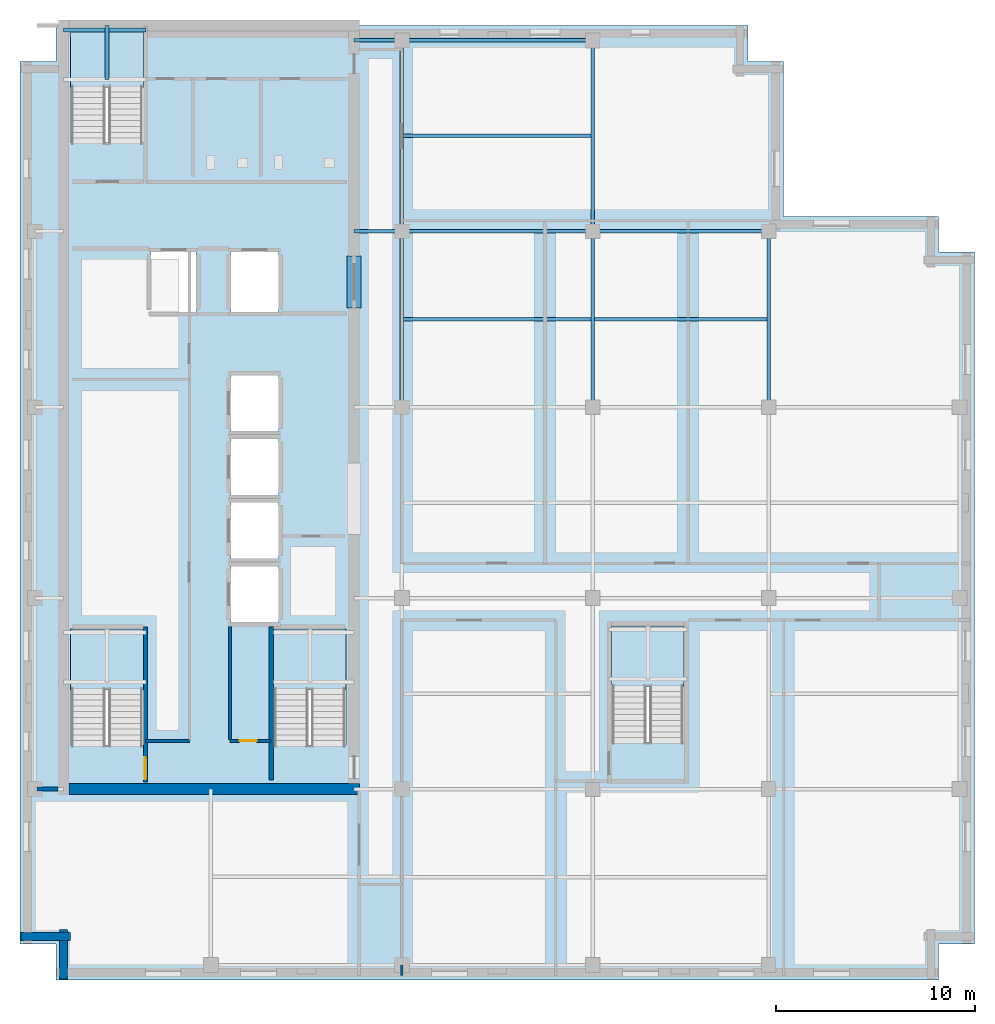
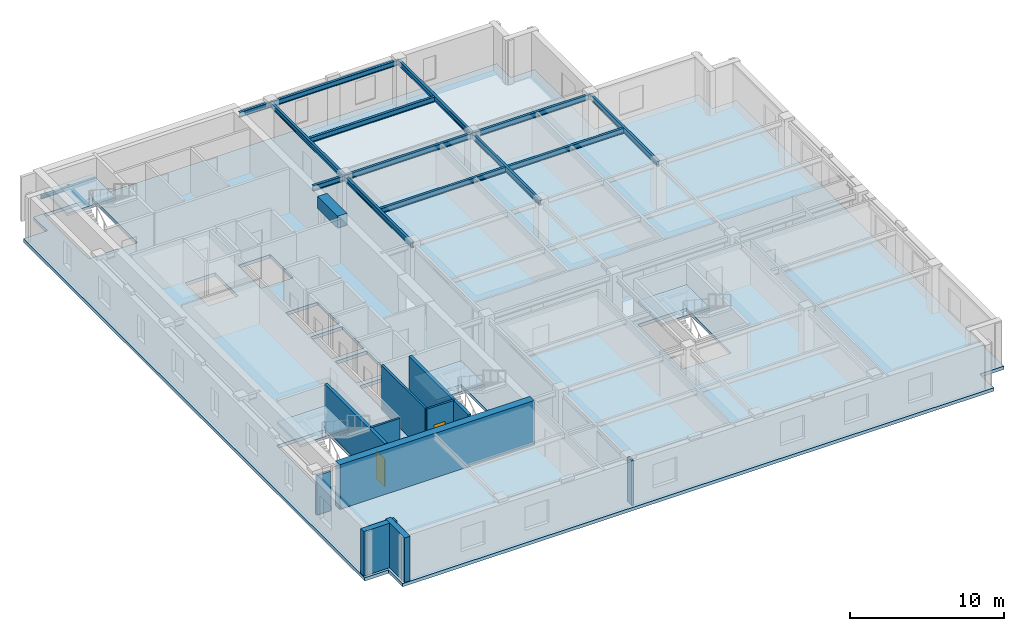
# One storey, part 2 of 10: 16 beams, 10 walls, 5 slabs, 2 doors, 2 openings, 4 elements without a shape of their own.
"""IFC4 building model written with IfcOpenShell, lengths in metres."""

from ifc_helpers import new_model, si_unit, direction, frame, frame_2d, origin, origin_2d, place, context, subcontext, project, spatial, polyline, rectangle, i_section, outline, extrude, material, layer, layer_set, material_profile, profile_set, type_object, element, fill, aggregate, save


model = new_model("IFC4")

# Units and contexts
model_context = context("Model", 3, precision=1e-05, world=origin(), true_north=direction((0.0, 1.0)))
body_context = subcontext(model_context, "Body", "Model", "MODEL_VIEW")
ifc_project = project(units=[si_unit("LENGTHUNIT", "METRE"), si_unit("AREAUNIT", "SQUARE_METRE"), si_unit("VOLUMEUNIT", "CUBIC_METRE"), si_unit("PLANEANGLEUNIT", "RADIAN"), si_unit("MASSUNIT", "GRAM", prefix="KILO")], contexts=[model_context])

# Site, building, storey
site_placement = place(None, origin())
site = spatial("IfcSite", under=ifc_project, at=site_placement, CompositionType="ELEMENT")
building_placement = place(site_placement, origin())
building = spatial("IfcBuilding", under=site, at=building_placement, Name="Norrvale University Quadrangle", CompositionType="ELEMENT")
storey_placement = place(building_placement, frame((0.0, 0.0, 265.800048828125)))
storey = spatial("IfcBuildingStorey", under=building, at=storey_placement, Name="L67", CompositionType="ELEMENT", Elevation=265.800048828125)

# Beams
ifc_material_1 = material(Name="Steel 350W", Category="steel")
ifc_material_profile_1 = material_profile(ifc_material_1, i_section(OverallWidth=0.180908203125, OverallDepth=0.4169921875, WebThickness=0.010986328125, FlangeThickness=0.018310546875, FilletRadius=0.011962890625, at=origin_2d()), Name="Steel 350W")
ifc_profile_set_1 = profile_set([ifc_material_profile_1], Name="Steel 350W")
beam_type_1 = type_object("IfcBeamType", Name="Beam Atrium W410x85", PredefinedType="BEAM", material=ifc_profile_set_1)
beam_1_placement = place(storey_placement, frame((19.199951171875, 37.64990234375, 3.33154296875), z_axis=(1.0, 0.0, 0.0), x_axis=(0.0, 1.0, 0.0)))
element("IfcBeam", 1, at=beam_1_placement, inside=storey, type_object=beam_type_1, Name="Beam Atrium W410x85 BM-L67-GX013", PredefinedType="BEAM", context=body_context, shape_type="SweptSolid", body=[
    extrude(i_section(OverallWidth=0.180908203125, OverallDepth=0.4169921875, WebThickness=0.010986328125, FlangeThickness=0.018310546875, FilletRadius=0.011962890625, at=origin_2d()), origin(), (0.0, 0.0, 1.0), 9.60009765625),
])
beam_2_placement = place(storey_placement, frame((28.800048828125, 37.64990234375, 3.33154296875), z_axis=(1.0, 0.0, 0.0), x_axis=(0.0, 1.0, 0.0)))
element("IfcBeam", 2, at=beam_2_placement, inside=storey, type_object=beam_type_1, Name="Beam Atrium W410x85 BM-L67-GX014", PredefinedType="BEAM", context=body_context, shape_type="SweptSolid", body=[
    extrude(i_section(OverallWidth=0.180908203125, OverallDepth=0.4169921875, WebThickness=0.010986328125, FlangeThickness=0.018310546875, FilletRadius=0.011962890625, at=origin_2d()), origin(), (0.0, 0.0, 1.0), 8.849853515625),
])
beam_3_placement = place(storey_placement, frame((19.199951171875, 47.25, 3.33154296875), z_axis=(1.0, 0.0, 0.0), x_axis=(0.0, 1.0, 0.0)))
element("IfcBeam", 3, at=beam_3_placement, inside=storey, type_object=beam_type_1, Name="Beam Atrium W410x85 BM-L67-GX015", PredefinedType="BEAM", context=body_context, shape_type="SweptSolid", body=[
    extrude(i_section(OverallWidth=0.180908203125, OverallDepth=0.4169921875, WebThickness=0.010986328125, FlangeThickness=0.018310546875, FilletRadius=0.011962890625, at=origin_2d()), origin(), (0.0, 0.0, 1.0), 9.60009765625),
])
beam_4_placement = place(storey_placement, frame((19.199951171875, 28.800048828125, 3.33154296875), z_axis=(0.0, 1.0, 0.0), x_axis=(-1.0, 0.0, 0.0)))
element("IfcBeam", 4, at=beam_4_placement, inside=storey, type_object=beam_type_1, Name="Beam Atrium W410x85 BM-L67-GY022", PredefinedType="BEAM", context=body_context, shape_type="SweptSolid", body=[
    extrude(i_section(OverallWidth=0.180908203125, OverallDepth=0.4169921875, WebThickness=0.010986328125, FlangeThickness=0.018310546875, FilletRadius=0.011962890625, at=origin_2d()), origin(), (0.0, 0.0, 1.0), 8.849853515625),
])
beam_5_placement = place(storey_placement, frame((19.199951171875, 37.64990234375, 3.33154296875), z_axis=(0.0, 1.0, 0.0), x_axis=(-1.0, 0.0, 0.0)))
element("IfcBeam", 5, at=beam_5_placement, inside=storey, type_object=beam_type_1, Name="Beam Atrium W410x85 BM-L67-GY023", PredefinedType="BEAM", context=body_context, shape_type="SweptSolid", body=[
    extrude(i_section(OverallWidth=0.180908203125, OverallDepth=0.4169921875, WebThickness=0.010986328125, FlangeThickness=0.018310546875, FilletRadius=0.011962890625, at=origin_2d()), origin(), (0.0, 0.0, 1.0), 9.60009765625),
])
beam_6_placement = place(storey_placement, frame((28.800048828125, 28.800048828125, 3.33154296875), z_axis=(0.0, 1.0, 0.0), x_axis=(-1.0, 0.0, 0.0)))
element("IfcBeam", 6, at=beam_6_placement, inside=storey, type_object=beam_type_1, Name="Beam Atrium W410x85 BM-L67-GY027", PredefinedType="BEAM", context=body_context, shape_type="SweptSolid", body=[
    extrude(i_section(OverallWidth=0.180908203125, OverallDepth=0.4169921875, WebThickness=0.010986328125, FlangeThickness=0.018310546875, FilletRadius=0.011962890625, at=origin_2d()), origin(), (0.0, 0.0, 1.0), 8.849853515625),
])
beam_7_placement = place(storey_placement, frame((28.800048828125, 37.64990234375, 3.33154296875), z_axis=(0.0, 1.0, 0.0), x_axis=(-1.0, 0.0, 0.0)))
element("IfcBeam", 7, at=beam_7_placement, inside=storey, type_object=beam_type_1, Name="Beam Atrium W410x85 BM-L67-GY028", PredefinedType="BEAM", context=body_context, shape_type="SweptSolid", body=[
    extrude(i_section(OverallWidth=0.180908203125, OverallDepth=0.4169921875, WebThickness=0.010986328125, FlangeThickness=0.018310546875, FilletRadius=0.011962890625, at=origin_2d()), origin(), (0.0, 0.0, 1.0), 9.60009765625),
])
beam_8_placement = place(storey_placement, frame((37.64990234375, 28.800048828125, 3.33154296875), z_axis=(0.0, 1.0, 0.0), x_axis=(-1.0, 0.0, 0.0)))
element("IfcBeam", 8, at=beam_8_placement, inside=storey, type_object=beam_type_1, Name="Beam Atrium W410x85 BM-L67-GY032", PredefinedType="BEAM", context=body_context, shape_type="SweptSolid", body=[
    extrude(i_section(OverallWidth=0.180908203125, OverallDepth=0.4169921875, WebThickness=0.010986328125, FlangeThickness=0.018310546875, FilletRadius=0.011962890625, at=origin_2d()), origin(), (0.0, 0.0, 1.0), 8.849853515625),
])
for number, where, z_axis, x_axis, name in (
    (9, (16.800048828125, 37.64990234375, 3.33154296875), (1.0, 0.0, 0.0), (0.0, 1.0, 0.0), "Beam Atrium W410x85 BM-L67-GCE042"),
    (10, (16.800048828125, 47.25, 3.33154296875), (1.0, 0.0, 0.0), (0.0, 1.0, 0.0), "Beam Atrium W410x85 BM-L67-GCE043"),
):
    element("IfcBeam", number, at=place(storey_placement, frame(where, z_axis=z_axis, x_axis=x_axis)), inside=storey, type_object=beam_type_1, Name=name, PredefinedType="BEAM", context=body_context, shape_type="SweptSolid", body=[
        extrude(i_section(OverallWidth=0.180908203125, OverallDepth=0.4169921875, WebThickness=0.010986328125, FlangeThickness=0.018310546875, FilletRadius=0.011962890625, at=origin_2d()), origin(), (0.0, 0.0, 1.0), 2.39990234375),
    ])
ifc_material_2 = material(Name="Concrete C80/95", Category="concrete")
ifc_material_profile_2 = material_profile(ifc_material_2, rectangle(XDim=0.699951171875, YDim=0.949951171875, at=origin_2d()), Name="Concrete C80/95")
ifc_profile_set_2 = profile_set([ifc_material_profile_2], Name="Concrete C80/95")
beam_type_2 = type_object("IfcBeamType", Name="Beam Core Link 700x950", PredefinedType="LINTEL", material=ifc_profile_set_2)
beam_9_placement = place(storey_placement, frame((16.800048828125, 33.800048828125, 3.06494140625), z_axis=(0.0, 1.0, 0.0), x_axis=(-1.0, 0.0, 0.0)))
element("IfcBeam", 11, at=beam_9_placement, inside=storey, type_object=beam_type_2, Name="Core Coupling Lintel Beam L67-2", PredefinedType="LINTEL", context=body_context, shape_type="SweptSolid", body=[
    extrude(rectangle(XDim=0.699951171875, YDim=0.949951171875, at=origin_2d()), origin(), (0.0, 0.0, 1.0), 2.599853515625),
])
ifc_material_profile_3 = material_profile(ifc_material_1, i_section(OverallWidth=0.177978515625, OverallDepth=0.406982421875, WebThickness=0.0078125, FlangeThickness=0.0126953125, FilletRadius=0.011962890625, at=origin_2d()), Name="Steel 350W")
ifc_profile_set_3 = profile_set([ifc_material_profile_3], Name="Steel 350W")
beam_type_3 = type_object("IfcBeamType", Name="Beam Roof Purlin W410x60", PredefinedType="USERDEFINED", material=ifc_profile_set_3)
for number, where, z_axis, x_axis, name in (
    (12, (19.29052734375, 33.22509765625, 3.33642578125), (1.0, 0.0, 0.0), (0.0, 1.0, 0.0), "Beam Roof Purlin W410x60 BM-L67-J047"),
    (13, (19.29052734375, 42.449951171875, 3.33642578125), (1.0, 0.0, 0.0), (0.0, 1.0, 0.0), "Beam Roof Purlin W410x60 BM-L67-J048"),
):
    element("IfcBeam", number, at=place(storey_placement, frame(where, z_axis=z_axis, x_axis=x_axis)), inside=storey, type_object=beam_type_3, Name=name, ObjectType="PURLIN", PredefinedType="USERDEFINED", context=body_context, shape_type="SweptSolid", body=[
        extrude(i_section(OverallWidth=0.177978515625, OverallDepth=0.406982421875, WebThickness=0.0078125, FlangeThickness=0.0126953125, FilletRadius=0.011962890625, at=origin_2d()), origin(), (0.0, 0.0, 1.0), 9.4189453125),
    ])
beam_10_placement = place(storey_placement, frame((28.890380859375, 33.22509765625, 3.33642578125), z_axis=(1.0, 0.0, 0.0), x_axis=(0.0, 1.0, 0.0)))
element("IfcBeam", 14, at=beam_10_placement, inside=storey, type_object=beam_type_3, Name="Beam Roof Purlin W410x60 BM-L67-J051", ObjectType="PURLIN", PredefinedType="USERDEFINED", context=body_context, shape_type="SweptSolid", body=[
    extrude(i_section(OverallWidth=0.177978515625, OverallDepth=0.406982421875, WebThickness=0.0078125, FlangeThickness=0.0126953125, FilletRadius=0.011962890625, at=origin_2d()), origin(), (0.0, 0.0, 1.0), 8.669189453125),
])
ifc_material_profile_4 = material_profile(ifc_material_1, i_section(OverallWidth=0.201904296875, OverallDepth=0.2470703125, WebThickness=0.00732421875, FlangeThickness=0.010986328125, FilletRadius=0.011962890625, at=origin_2d()), Name="Steel 350W")
ifc_profile_set_4 = profile_set([ifc_material_profile_4], Name="Steel 350W")
beam_type_4 = type_object("IfcBeamType", Name="Beam Stair W250x49", PredefinedType="BEAM", material=ifc_profile_set_4)
beam_11_placement = place(storey_placement, frame((2.199951171875, 47.77001953125, 1.576416015625), z_axis=(1.0, 0.0, 0.0), x_axis=(0.0, 1.0, 0.0)))
element("IfcBeam", 15, at=beam_11_placement, inside=storey, type_object=beam_type_4, Name="Stair Mid-Landing Rear Beam ST-02 L67", PredefinedType="BEAM", context=body_context, shape_type="SweptSolid", body=[
    extrude(i_section(OverallWidth=0.201904296875, OverallDepth=0.2470703125, WebThickness=0.00732421875, FlangeThickness=0.010986328125, FilletRadius=0.011962890625, at=origin_2d()), origin(), (0.0, 0.0, 1.0), 4.14013671875),
])
ifc_material_profile_5 = material_profile(ifc_material_1, i_section(OverallWidth=0.202880859375, OverallDepth=0.202880859375, WebThickness=0.007080078125, FlangeThickness=0.010986328125, FilletRadius=0.010009765625, at=origin_2d()), Name="Steel 350W")
ifc_profile_set_5 = profile_set([ifc_material_profile_5], Name="Steel 350W")
beam_type_5 = type_object("IfcBeamType", Name="Beam Trim W200x46", PredefinedType="BEAM", material=ifc_profile_set_5)
beam_12_placement = place(storey_placement, frame((4.375, 45.2900390625, 1.598388671875), z_axis=(0.0, 1.0, 0.0), x_axis=(-1.0, 0.0, 0.0)))
element("IfcBeam", 16, at=beam_12_placement, inside=storey, type_object=beam_type_5, Name="Stair Mid-Landing Cross Beam ST-02 L67", PredefinedType="BEAM", context=body_context, shape_type="SweptSolid", body=[
    extrude(i_section(OverallWidth=0.202880859375, OverallDepth=0.202880859375, WebThickness=0.007080078125, FlangeThickness=0.010986328125, FilletRadius=0.010009765625, at=origin_2d()), origin(), (0.0, 0.0, 1.0), 2.7099609375),
])

# Stair, slab
ifc_material_3 = material(Name="Concrete C40/50", Category="concrete")
stair_type = type_object("IfcStairType", Name="Stair Tower Typ 3800", PredefinedType="TWO_STRAIGHT_RUN_STAIR", material=ifc_material_3)
stair_1_placement = place(storey_placement, origin())
stair_1 = element("IfcStair", 17, at=stair_1_placement, inside=storey, type_object=stair_type, Name="Exit Stair ST-01 L67", PredefinedType="TWO_STRAIGHT_RUN_STAIR")
ifc_layer_1 = layer(ifc_material_3, 0.199951171875, Name="Concrete C40/50")
ifc_layer_set_1 = layer_set([ifc_layer_1], Name="Concrete C40/50")
slab_type_1 = type_object("IfcSlabType", Name="Slab Landing 200", PredefinedType="LANDING", material=ifc_layer_set_1)
slab_1_placement = place(storey_placement, frame((0.0, 0.0, 1.699951171875)))
slab_1 = element("IfcSlab", 18, at=slab_1_placement, type_object=slab_type_1, Name="Exit Stair ST-01 L67 Mid Landing", PredefinedType="LANDING", context=body_context, shape_type="SweptSolid", body=[
    extrude(outline(polyline([(2.550048828125, 14.590087890625), (6.199951171875, 14.590087890625), (6.199951171875, 17.64990234375), (2.550048828125, 17.64990234375), (2.550048828125, 14.590087890625)])), origin(), (0.0, 0.0, 1.0), 0.199951171875),
])
aggregate(stair_1, [slab_1])

stair_2_placement = place(storey_placement, origin())
stair_2 = element("IfcStair", 19, at=stair_2_placement, inside=storey, type_object=stair_type, Name="Exit Stair ST-02 L67", PredefinedType="TWO_STRAIGHT_RUN_STAIR")
slab_2_placement = place(storey_placement, frame((0.0, 0.0, 1.699951171875)))
slab_2 = element("IfcSlab", 20, at=slab_2_placement, type_object=slab_type_1, Name="Exit Stair ST-02 L67 Mid Landing", PredefinedType="LANDING", context=body_context, shape_type="SweptSolid", body=[
    extrude(outline(polyline([(2.550048828125, 44.889892578125), (6.199951171875, 44.889892578125), (6.199951171875, 47.949951171875), (2.550048828125, 47.949951171875), (2.550048828125, 44.889892578125)])), origin(), (0.0, 0.0, 1.0), 0.199951171875),
])
aggregate(stair_2, [slab_2])

stair_3_placement = place(storey_placement, origin())
stair_3 = element("IfcStair", 21, at=stair_3_placement, inside=storey, type_object=stair_type, Name="Exit Stair ST-03 L67", PredefinedType="TWO_STRAIGHT_RUN_STAIR")
slab_3_placement = place(storey_placement, frame((0.0, 0.0, 1.699951171875)))
slab_3 = element("IfcSlab", 22, at=slab_3_placement, type_object=slab_type_1, Name="Exit Stair ST-03 L67 Mid Landing", PredefinedType="LANDING", context=body_context, shape_type="SweptSolid", body=[
    extrude(outline(polyline([(12.75, 14.590087890625), (16.39990234375, 14.590087890625), (16.39990234375, 17.64990234375), (12.75, 17.64990234375), (12.75, 14.590087890625)])), origin(), (0.0, 0.0, 1.0), 0.199951171875),
])
aggregate(stair_3, [slab_3])

stair_4_placement = place(storey_placement, origin())
stair_4 = element("IfcStair", 23, at=stair_4_placement, inside=storey, type_object=stair_type, Name="Exit Stair ST-04 L67", PredefinedType="TWO_STRAIGHT_RUN_STAIR")
slab_4_placement = place(storey_placement, frame((0.0, 0.0, 1.699951171875)))
slab_4 = element("IfcSlab", 24, at=slab_4_placement, type_object=slab_type_1, Name="Exit Stair ST-04 L67 Mid Landing", PredefinedType="LANDING", context=body_context, shape_type="SweptSolid", body=[
    extrude(outline(polyline([(29.75, 14.739990234375), (33.39990234375, 14.739990234375), (33.39990234375, 17.800048828125), (29.75, 17.800048828125), (29.75, 14.739990234375)])), origin(), (0.0, 0.0, 1.0), 0.199951171875),
])
aggregate(stair_4, [slab_4])

# Slab
ifc_layer_2 = layer(ifc_material_3, 0.260009765625, Name="Concrete C40/50")
ifc_layer_set_2 = layer_set([ifc_layer_2], Name="Concrete C40/50")
slab_type_2 = type_object("IfcSlabType", Name="Slab Tower Typ 260", PredefinedType="FLOOR", material=ifc_layer_set_2)
slab_5_placement = place(storey_placement, frame((0.0, 0.0, -0.260009765625)))
element("IfcSlab", 25, at=slab_5_placement, inside=storey, type_object=slab_type_2, Name="Tower L67 Floor Slab", PredefinedType="FLOOR", context=body_context, shape_type="SweptSolid", body=[
    extrude(outline(polyline([(1.800048828125, 0.0), (46.199951171875, 0.0), (46.199951171875, 1.800048828125), (48.0, 1.800048828125), (48.0, 36.60009765625), (46.199951171875, 36.60009765625), (46.199951171875, 38.39990234375), (38.39990234375, 38.39990234375), (38.39990234375, 46.199951171875), (36.60009765625, 46.199951171875), (36.60009765625, 48.0), (1.800048828125, 48.0), (1.800048828125, 46.199951171875), (0.0, 46.199951171875), (0.0, 1.800048828125), (1.800048828125, 1.800048828125), (1.800048828125, 0.0)]), holes=[polyline([(2.550048828125, 11.81005859375), (6.199951171875, 11.81005859375), (6.199951171875, 17.64990234375), (2.550048828125, 17.64990234375), (2.550048828125, 11.81005859375)]), polyline([(2.550048828125, 42.110107421875), (6.199951171875, 42.110107421875), (6.199951171875, 47.949951171875), (2.550048828125, 47.949951171875), (2.550048828125, 42.110107421875)]), polyline([(12.75, 11.81005859375), (16.39990234375, 11.81005859375), (16.39990234375, 17.64990234375), (12.75, 17.64990234375), (12.75, 11.81005859375)]), polyline([(29.75, 11.9599609375), (33.39990234375, 11.9599609375), (33.39990234375, 17.800048828125), (29.75, 17.800048828125), (29.75, 11.9599609375)]), polyline([(10.60009765625, 18.0), (13.0, 18.0), (13.0, 20.800048828125), (10.60009765625, 20.800048828125), (10.60009765625, 18.0)]), polyline([(10.60009765625, 21.199951171875), (13.0, 21.199951171875), (13.0, 24.0), (10.60009765625, 24.0), (10.60009765625, 21.199951171875)]), polyline([(10.60009765625, 24.39990234375), (13.0, 24.39990234375), (13.0, 27.199951171875), (10.60009765625, 27.199951171875), (10.60009765625, 24.39990234375)]), polyline([(10.60009765625, 27.60009765625), (13.0, 27.60009765625), (13.0, 30.39990234375), (10.60009765625, 30.39990234375), (10.60009765625, 27.60009765625)]), polyline([(6.60009765625, 33.60009765625), (8.85009765625, 33.60009765625), (8.85009765625, 36.60009765625), (6.60009765625, 36.60009765625), (6.60009765625, 33.60009765625)]), polyline([(10.60009765625, 33.60009765625), (13.0, 33.60009765625), (13.0, 36.60009765625), (10.60009765625, 36.60009765625), (10.60009765625, 33.60009765625)])]), origin(), (0.0, 0.0, 1.0), 0.260009765625),
])

# Walls
ifc_material_4 = material(Name="Buff Norman Clay Brick Masonry", Category="masonry")
ifc_layer_3 = layer(ifc_material_4, 0.419921875, Name="Buff Norman Clay Brick Masonry")
ifc_layer_set_3 = layer_set([ifc_layer_3], Name="Buff Norman Clay Brick Masonry")
wall_type_1 = type_object("IfcWallType", Name="Wall Buff Brick 420", PredefinedType="SOLIDWALL", material=ifc_layer_set_3)
for number, where, z_axis, x_axis, name in (
    (26, (0.0400390625, 2.18994140625, 0.0), (0.0, 0.0, 1.0), (1.0, 0.0, 0.0), "Exterior Brick Facade Wall L67-15.1"),
    (27, (2.18994140625, 2.5400390625, 0.0), (0.0, 0.0, 1.0), (0.0, -1.0, 0.0), "Exterior Brick Facade Wall L67-16.1"),
):
    element("IfcWall", number, at=place(storey_placement, frame(where, z_axis=z_axis, x_axis=x_axis)), inside=storey, type_object=wall_type_1, Name=name, PredefinedType="SOLIDWALL", context=body_context, shape_type="SweptSolid", body=[
        extrude(rectangle(XDim=2.5, YDim=0.419921875, at=frame_2d((1.25, 0.0))), origin(), (0.0, 0.0, 1.0), 3.5400390625),
    ])
ifc_material_5 = material(Name="Concrete C60/75", Category="concrete")
ifc_layer_4 = layer(ifc_material_5, 0.550048828125, Name="Concrete C60/75")
ifc_layer_set_4 = layer_set([ifc_layer_4], Name="Concrete C60/75")
wall_type_2 = type_object("IfcWallType", Name="Wall Core 550", PredefinedType="SHEAR", material=ifc_layer_set_4)
wall_1_placement = place(storey_placement, frame((2.47509765625, 9.60009765625, 0.0), z_axis=(0.0, 0.0, 1.0), x_axis=(1.0, 0.0, 0.0)))
element("IfcWall", 28, at=wall_1_placement, inside=storey, type_object=wall_type_2, Name="Tower Core Shear Wall L67-S", PredefinedType="SHEAR", context=body_context, shape_type="SweptSolid", body=[
    extrude(rectangle(XDim=14.599853515625, YDim=0.550048828125, at=frame_2d((7.2998046875, 0.0))), origin(), (0.0, 0.0, 1.0), 3.5400390625),
])
ifc_material_6 = material(Name="Standard Academic Gypsum Partition")
ifc_layer_5 = layer(ifc_material_6, 0.125, Name="Standard Academic Gypsum Partition")
ifc_layer_set_5 = layer_set([ifc_layer_5], Name="Standard Academic Gypsum Partition")
wall_type_3 = type_object("IfcWallType", Name="Wall Gypsum Academic 125", PredefinedType="PARTITIONING", material=ifc_layer_set_5)
wall_2_placement = place(storey_placement, frame((19.199951171875, 0.219970703125, 0.0), z_axis=(0.0, 0.0, 1.0), x_axis=(0.0, 1.0, 0.0)))
element("IfcWall", 29, at=wall_2_placement, inside=storey, type_object=wall_type_3, Name="Interior Partition WL-L67-SE-W0", PredefinedType="PARTITIONING", context=body_context, shape_type="SweptSolid", body=[
    extrude(rectangle(XDim=0.530029296875, YDim=0.125, at=frame_2d((0.26513671875, 0.0))), origin(), (0.0, 0.0, 1.0), 3.5400390625),
])

# Wall, opening, door
ifc_material_7 = material(Name="Fire-Rated Gypsum Stud Partition")
ifc_layer_6 = layer(ifc_material_7, 0.14990234375, Name="Fire-Rated Gypsum Stud Partition")
ifc_layer_set_6 = layer_set([ifc_layer_6], Name="Fire-Rated Gypsum Stud Partition")
wall_type_4 = type_object("IfcWallType", Name="Wall Gypsum Corridor 150", PredefinedType="PARTITIONING", material=ifc_layer_set_6)
wall_3_placement = place(storey_placement, frame((10.550048828125, 12.02001953125, 0.0), z_axis=(0.0, 0.0, 1.0), x_axis=(1.0, 0.0, 0.0)))
wall_3 = element("IfcWall", 30, at=wall_3_placement, inside=storey, type_object=wall_type_4, Name="Interior Partition WL-L67-SC-NR", PredefinedType="PARTITIONING", context=body_context, shape_type="SweptSolid", body=[
    extrude(rectangle(XDim=2.079833984375, YDim=0.14990234375, at=frame_2d((1.0400390625, 0.0))), origin(), (0.0, 0.0, 1.0), 3.5400390625),
])
opening_1_placement = place(wall_3_placement, frame((0.5, 0.0, 0.0)))
opening_1 = element("IfcOpeningElement", 31, at=opening_1_placement, cuts=wall_3, Name="Opening D10", PredefinedType="OPENING", context=body_context, shape_type="SweptSolid", body=[
    extrude(rectangle(XDim=0.85009765625, YDim=2.10009765625, at=frame_2d((0.425048828125, 1.050048828125))), frame((0.0, 0.0869140625, 0.0), z_axis=(0.0, -1.0, 0.0), x_axis=(1.0, 0.0, 0.0)), (0.0, 0.0, 1.0), 0.173828125),
])
ifc_material_8 = material(Name="Hollow Steel 350W Riser Fire Door", Category="steel")
door_type_1 = type_object("IfcDoorType", Name="Door Riser 850x2100", OperationType="NOTDEFINED", PredefinedType="DOOR", material=ifc_material_8)
door_1_placement = place(opening_1_placement, origin())
door_1 = element("IfcDoor", 32, at=door_1_placement, inside=storey, type_object=door_type_1, Name="Door Riser 850x2100 DR-L67-IDF", OperationType="SINGLE_SWING_RIGHT", OverallHeight=2.10009765625, OverallWidth=0.85009765625, PredefinedType="DOOR", context=body_context, shape_type="SweptSolid", body=[
    extrude(rectangle(XDim=0.85009765625, YDim=2.10009765625, at=frame_2d((0.425048828125, 1.050048828125))), frame((0.0, 0.02490234375, 0.0), z_axis=(0.0, -1.0, 0.0), x_axis=(1.0, 0.0, 0.0)), (0.0, 0.0, 1.0), 0.050048828125),
])
fill(opening_1, door_1)

# Walls
wall_4_placement = place(storey_placement, frame((10.550048828125, 12.094970703125, 0.0), z_axis=(0.0, 0.0, 1.0), x_axis=(0.0, 1.0, 0.0)))
element("IfcWall", 33, at=wall_4_placement, inside=storey, type_object=wall_type_4, Name="Interior Partition WL-L67-SC-WR", PredefinedType="PARTITIONING", context=body_context, shape_type="SweptSolid", body=[
    extrude(rectangle(XDim=5.679931640625, YDim=0.14990234375, at=frame_2d((2.83984375, 0.0))), origin(), (0.0, 0.0, 1.0), 3.5400390625),
])
wall_5_placement = place(storey_placement, frame((6.320068359375, 12.02001953125, 0.0), z_axis=(0.0, 0.0, 1.0), x_axis=(1.0, 0.0, 0.0)))
element("IfcWall", 34, at=wall_5_placement, inside=storey, type_object=wall_type_4, Name="Interior Partition WL-L67-REC-S", PredefinedType="PARTITIONING", context=body_context, shape_type="SweptSolid", body=[
    extrude(rectangle(XDim=2.199951171875, YDim=0.14990234375, at=frame_2d((1.10009765625, 0.0))), origin(), (0.0, 0.0, 1.0), 3.5400390625),
])
ifc_material_9 = material(Name="Concrete Blockwork 20 MPa Rated Wall", Category="masonry")
ifc_layer_7 = layer(ifc_material_9, 0.199951171875, Name="Concrete Blockwork 20 MPa Rated Wall")
ifc_layer_set_7 = layer_set([ifc_layer_7], Name="Concrete Blockwork 20 MPa Rated Wall")
wall_type_5 = type_object("IfcWallType", Name="Wall Lobby 200", PredefinedType="SOLIDWALL", material=ifc_layer_set_7)
wall_6_placement = place(storey_placement, frame((0.85009765625, 9.60009765625, 0.0), z_axis=(0.0, 0.0, 1.0), x_axis=(1.0, 0.0, 0.0)))
element("IfcWall", 35, at=wall_6_placement, inside=storey, type_object=wall_type_5, Name="Interior Partition WL-L67-CWRET-S", PredefinedType="SOLIDWALL", context=body_context, shape_type="SweptSolid", body=[
    extrude(rectangle(XDim=1.06982421875, YDim=0.199951171875, at=frame_2d((0.534912109375, 0.0))), origin(), (0.0, 0.0, 1.0), 3.123046875),
])

# Wall, opening, door
ifc_material_10 = material(Name="Concrete Blockwork 20 MPa Fire Shaft", Category="masonry")
ifc_layer_8 = layer(ifc_material_10, 0.219970703125, Name="Concrete Blockwork 20 MPa Fire Shaft")
ifc_layer_set_8 = layer_set([ifc_layer_8], Name="Concrete Blockwork 20 MPa Fire Shaft")
wall_type_6 = type_object("IfcWallType", Name="Wall Shaft 220", PredefinedType="SOLIDWALL", material=ifc_layer_set_8)
wall_7_placement = place(storey_placement, frame((6.31005859375, 9.949951171875, 0.0), z_axis=(0.0, 0.0, 1.0), x_axis=(0.0, 1.0, 0.0)))
wall_7 = element("IfcWall", 36, at=wall_7_placement, inside=storey, type_object=wall_type_6, Name="Stair ST-01 East Shaft Wall L67", PredefinedType="SOLIDWALL", context=body_context, shape_type="SweptSolid", body=[
    extrude(rectangle(XDim=7.81005859375, YDim=0.219970703125, at=frame_2d((3.905029296875, 0.0))), origin(), (0.0, 0.0, 1.0), 3.5400390625),
])
opening_2_placement = place(wall_7_placement, frame((0.139892578125, 0.0, 0.0)))
opening_2 = element("IfcOpeningElement", 37, at=opening_2_placement, cuts=wall_7, Name="Opening D02", PredefinedType="OPENING", context=body_context, shape_type="SweptSolid", body=[
    extrude(rectangle(XDim=1.10009765625, YDim=2.199951171875, at=frame_2d((0.550048828125, 1.10009765625))), frame((0.0, 0.1220703125, 0.0), z_axis=(0.0, -1.0, 0.0), x_axis=(1.0, 0.0, 0.0)), (0.0, 0.0, 1.0), 0.243896484375),
])
ifc_material_11 = material(Name="Hollow Steel 350W Fire Door", Category="steel")
door_type_2 = type_object("IfcDoorType", Name="Door Stair Exit 1100x2200", OperationType="NOTDEFINED", PredefinedType="DOOR", material=ifc_material_11)
door_2_placement = place(opening_2_placement, origin())
door_2 = element("IfcDoor", 38, at=door_2_placement, inside=storey, type_object=door_type_2, Name="Door Stair Exit 1100x2200 DR-L67-ST01", OperationType="SINGLE_SWING_LEFT", OverallHeight=2.199951171875, OverallWidth=1.10009765625, PredefinedType="DOOR", context=body_context, shape_type="SweptSolid", body=[
    extrude(rectangle(XDim=1.10009765625, YDim=2.199951171875, at=frame_2d((0.550048828125, 1.10009765625))), frame((0.0, 0.02490234375, 0.0), z_axis=(0.0, -1.0, 0.0), x_axis=(1.0, 0.0, 0.0)), (0.0, 0.0, 1.0), 0.050048828125),
])
fill(opening_2, door_2)

# Wall
wall_8_placement = place(storey_placement, frame((12.639892578125, 10.050048828125, 0.0), z_axis=(0.0, 0.0, 1.0), x_axis=(0.0, 1.0, 0.0)))
element("IfcWall", 39, at=wall_8_placement, inside=storey, type_object=wall_type_6, Name="Stair ST-03 West Shaft Wall L67", PredefinedType="SOLIDWALL", context=body_context, shape_type="SweptSolid", body=[
    extrude(rectangle(XDim=7.7099609375, YDim=0.219970703125, at=frame_2d((3.85498046875, 0.0))), origin(), (0.0, 0.0, 1.0), 3.5400390625),
])

save(model, "model.ifc")
